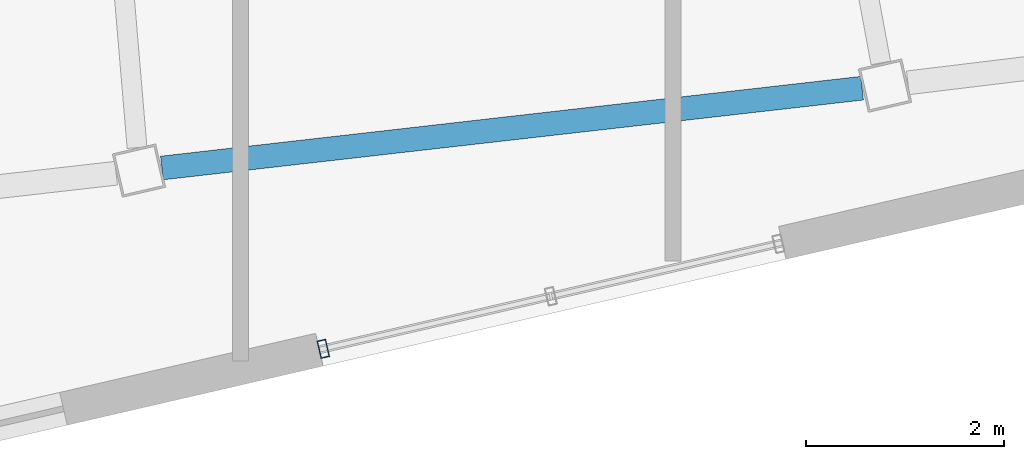
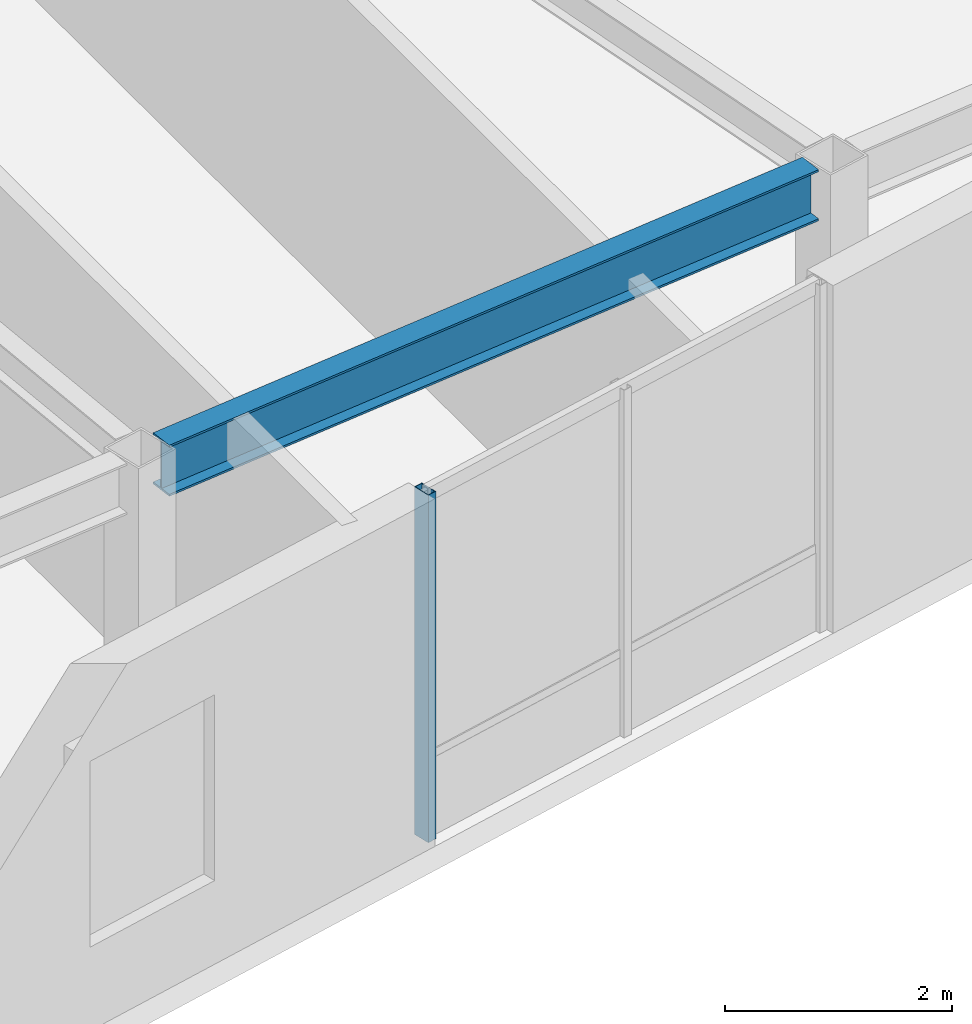
# One storey, part 5 of 23: 1 beam, 1 member, 1 element without a shape of its own.
"""IFC4 building model written with IfcOpenShell, lengths in metres."""

from ifc_helpers import new_model, si_unit, direction, frame, origin, origin_2d, place, context, subcontext, project, spatial, hollow_rectangle, i_section, extrude, material, layer, layer_set, material_profile, profile_set, type_object, element, aggregate, save


model = new_model("IFC4")

# Units and contexts
model_context = context("Model", 3, precision=1e-05, world=origin(), true_north=direction((0.0, 1.0)))
body_context = subcontext(model_context, "Body", "Model", "MODEL_VIEW")
ifc_project = project(units=[si_unit("LENGTHUNIT", "METRE"), si_unit("AREAUNIT", "SQUARE_METRE"), si_unit("VOLUMEUNIT", "CUBIC_METRE"), si_unit("PLANEANGLEUNIT", "RADIAN"), si_unit("MASSUNIT", "GRAM", prefix="KILO")], contexts=[model_context])

# Site, building, storey
site_placement = place(None, origin())
site = spatial("IfcSite", under=ifc_project, at=site_placement, CompositionType="ELEMENT")
building_placement = place(site_placement, origin())
building = spatial("IfcBuilding", under=site, at=building_placement, Name="Tavrogorsk Clinical Tower", CompositionType="ELEMENT")
storey_placement = place(building_placement, frame((0.0, 0.0, 297.0)))
storey = spatial("IfcBuildingStorey", under=building, at=storey_placement, Name="L69", CompositionType="ELEMENT", Elevation=297.0)

# Curtain wall, member
ifc_material_1 = material(Name="Anodised aluminium and triple IGU glazing", Category="aluminium")
ifc_layer = layer(ifc_material_1, 0.179931640625)
ifc_layer_set = layer_set([ifc_layer], Name="Anodised aluminium and triple IGU glazing")
curtain_wall_type = type_object("IfcCurtainWallType", Name="CW3_SouthSlot", PredefinedType="NOTDEFINED", material=ifc_layer_set)
curtain_wall_placement = place(storey_placement, origin())
curtain_wall = element("IfcCurtainWall", 1, at=curtain_wall_placement, inside=storey, type_object=curtain_wall_type, Name="L69 Curtain Wall CW-L69-S-SLOT-1", PredefinedType="NOTDEFINED")
ifc_material_2 = material(Name="Anodised aluminium alloy AW-6060", Category="aluminium")
ifc_material_profile_1 = material_profile(ifc_material_2, hollow_rectangle(XDim=0.090087890625, YDim=0.179931640625, WallThickness=0.00634765625, at=origin_2d()), Name="RHS-180x90x6.3")
ifc_profile_set_1 = profile_set([ifc_material_profile_1], Name="Anodised aluminium alloy AW-6060")
member_type = type_object("IfcMemberType", Name="CwMullion_180x90", PredefinedType="MULLION", material=ifc_profile_set_1)
member_placement = place(storey_placement, frame((-6.93212890625, -25.968994140625, 0.0), z_axis=(0.0, 0.0, 1.0), x_axis=(0.974370057377, 0.224951086434, 0.0)))
member = element("IfcMember", 2, at=member_placement, type_object=member_type, Name="CW-L69-S-SLOT-1 Mullion 1", PredefinedType="MULLION", context=body_context, shape_type="SweptSolid", body=[
    extrude(hollow_rectangle(XDim=0.090087890625, YDim=0.179931640625, WallThickness=0.00634765625, at=origin_2d()), origin(), (0.0, 0.0, 1.0), 3.739990234375),
])
aggregate(curtain_wall, [member])

# Beam
ifc_material_3 = material(Name="Structural steel S390", Category="steel")
ifc_material_profile_2 = material_profile(ifc_material_3, i_section(OverallWidth=0.239990234375, OverallDepth=0.550048828125, WebThickness=0.013916015625, FlangeThickness=0.02197265625, at=origin_2d()), Name="B-550x240x14x22")
ifc_profile_set_2 = profile_set([ifc_material_profile_2], Name="Structural steel S390")
beam_type = type_object("IfcBeamType", Name="SpandrelBeam_B550", PredefinedType="SPANDREL", material=ifc_profile_set_2)
beam_placement = place(storey_placement, frame((-8.5625, -24.14208984375, 3.465087890625), z_axis=(0.993572073137, 0.113201305126, 0.0), x_axis=(-0.113201305126, 0.993572073137, 0.0)))
element("IfcBeam", 3, at=beam_placement, inside=storey, type_object=beam_type, Name="L69 Perimeter Spandrel S3-S4", PredefinedType="SPANDREL", context=body_context, shape_type="SweptSolid", body=[
    extrude(i_section(OverallWidth=0.239990234375, OverallDepth=0.550048828125, WebThickness=0.013916015625, FlangeThickness=0.02197265625, at=origin_2d()), origin(), (0.0, 0.0, 1.0), 7.119140625),
])

save(model, "model.ifc")
